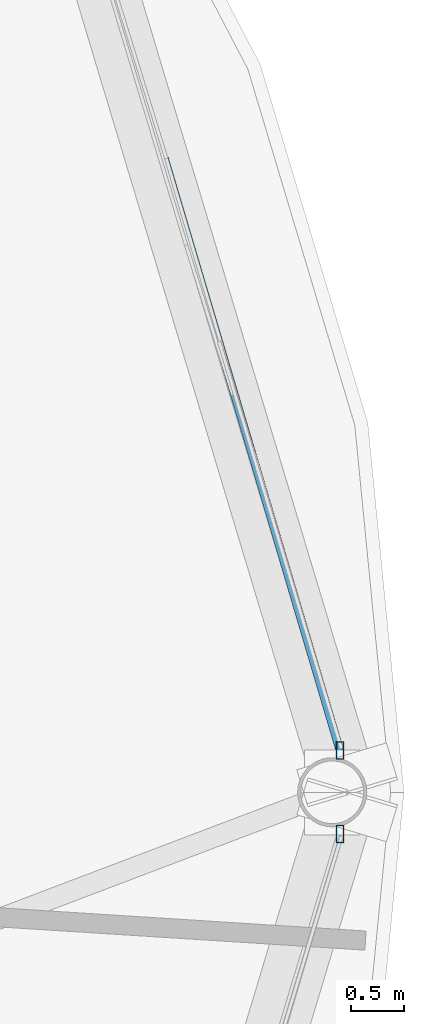
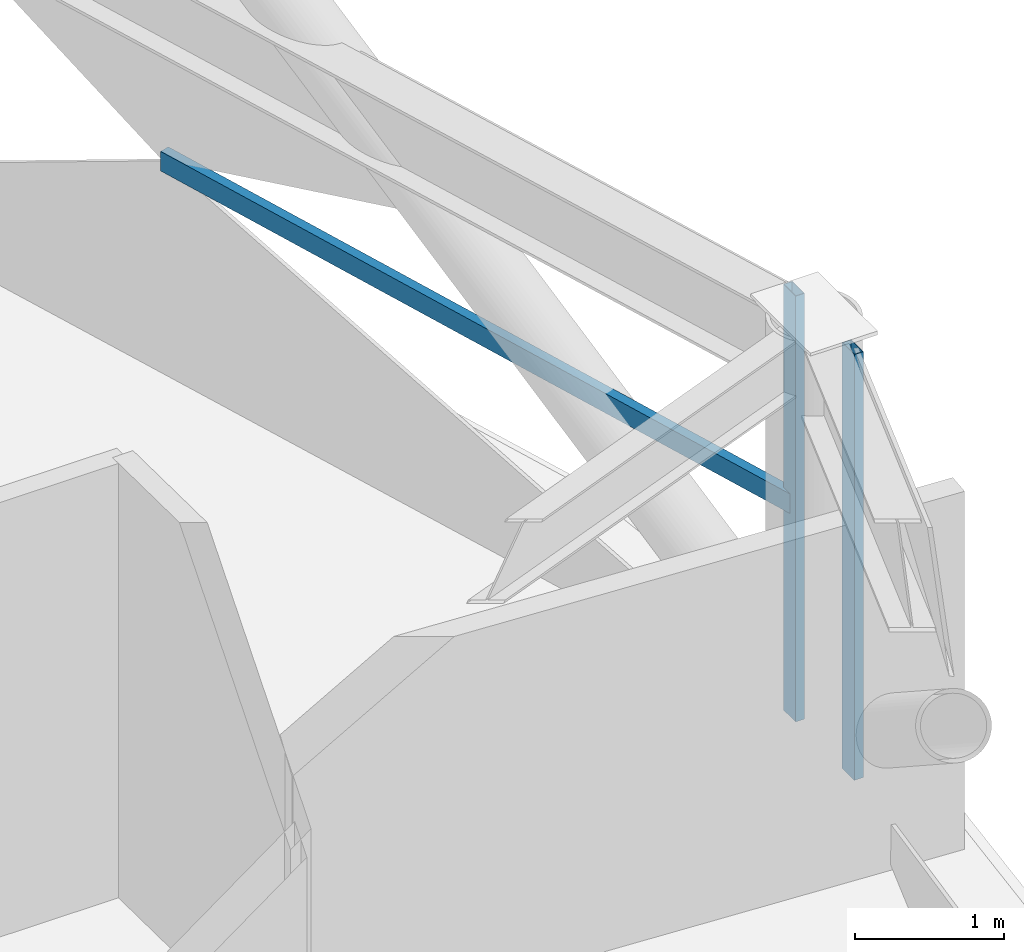
# One storey, part 13 of 28: 3 members, 2 elements without a shape of their own.
"""IFC4 building model written with IfcOpenShell, lengths in metres."""

from ifc_helpers import new_model, si_unit, direction, frame, origin, origin_2d, place, context, subcontext, project, spatial, hollow_rectangle, extrude, material, layer, layer_set, material_profile, profile_set, type_object, element, aggregate, save


model = new_model("IFC4")

# Units and contexts
model_context = context("Model", 3, precision=1e-05, world=origin(), true_north=direction((0.0, 1.0)))
body_context = subcontext(model_context, "Body", "Model", "MODEL_VIEW")
ifc_project = project(units=[si_unit("LENGTHUNIT", "METRE"), si_unit("AREAUNIT", "SQUARE_METRE"), si_unit("VOLUMEUNIT", "CUBIC_METRE"), si_unit("PLANEANGLEUNIT", "RADIAN"), si_unit("MASSUNIT", "GRAM", prefix="KILO")], contexts=[model_context])

# Site, building, storey
site_placement = place(None, origin())
site = spatial("IfcSite", under=ifc_project, at=site_placement, CompositionType="ELEMENT")
building_placement = place(site_placement, origin())
building = spatial("IfcBuilding", under=site, at=building_placement, Name="Vantalir Tower", CompositionType="ELEMENT")
storey_placement = place(building_placement, frame((0.0, 0.0, 242.39990234375)))
storey = spatial("IfcBuildingStorey", under=building, at=storey_placement, Name="L61", CompositionType="ELEMENT", Elevation=242.39990234375)

# Curtain wall, member
ifc_material_1 = material(Name="Champagne-silver PVDF aluminium and double-silver Low-E glass", Category="aluminium")
ifc_layer = layer(ifc_material_1, 0.2099609375)
ifc_layer_set = layer_set([ifc_layer], Name="Champagne-silver PVDF aluminium and double-silver Low-E glass")
curtain_wall_type = type_object("IfcCurtainWallType", Name="CW-DIAMOND-Z3", PredefinedType="USERDEFINED", material=ifc_layer_set)
curtain_wall_1_placement = place(storey_placement, origin())
curtain_wall_1 = element("IfcCurtainWall", 1, at=curtain_wall_1_placement, inside=storey, type_object=curtain_wall_type, Name="L61 Quilted Pyramid-Diamond Curtain Wall S01", ObjectType="UNITISED CURTAIN WALL", PredefinedType="USERDEFINED")
ifc_material_2 = material(Name="Champagne-silver PVDF aluminium 6063-T6", Category="aluminium")
ifc_material_profile_1 = material_profile(ifc_material_2, hollow_rectangle(XDim=0.070068359375, YDim=0.1650390625, WallThickness=0.00390625, at=origin_2d()), Name="Champagne-silver PVDF aluminium 6063-T6")
ifc_profile_set_1 = profile_set([ifc_material_profile_1], Name="Champagne-silver PVDF aluminium 6063-T6")
member_type_1 = type_object("IfcMemberType", Name="CWM-165x70", PredefinedType="MULLION", material=ifc_profile_set_1)
member_1_placement = place(storey_placement, frame((53.2900390625, 25.39306640625, 0.045166015625), z_axis=(0.0, 0.0, 1.0), x_axis=(1.0, 0.0, 0.0)))
member_1 = element("IfcMember", 2, at=member_1_placement, type_object=member_type_1, Name="CW-L61-S01 Mullion 1", PredefinedType="MULLION", context=body_context, shape_type="SweptSolid", body=[
    extrude(hollow_rectangle(XDim=0.070068359375, YDim=0.1650390625, WallThickness=0.00390625, at=origin_2d()), origin(), (0.0, 0.0, 1.0), 3.47998046875),
])

curtain_wall_2_placement = place(storey_placement, origin())
curtain_wall_2 = element("IfcCurtainWall", 3, at=curtain_wall_2_placement, inside=storey, type_object=curtain_wall_type, Name="L61 Quilted Pyramid-Diamond Curtain Wall S12", ObjectType="UNITISED CURTAIN WALL", PredefinedType="USERDEFINED")
member_2_placement = place(storey_placement, frame((53.2900390625, 24.60693359375, 0.045166015625), z_axis=(0.0, 0.0, 1.0), x_axis=(1.0, 0.0, 0.0)))
member_2 = element("IfcMember", 4, at=member_2_placement, type_object=member_type_1, Name="CW-L61-S12 Mullion 2", PredefinedType="MULLION", context=body_context, shape_type="SweptSolid", body=[
    extrude(hollow_rectangle(XDim=0.070068359375, YDim=0.1650390625, WallThickness=0.00390625, at=origin_2d()), origin(), (0.0, 0.0, 1.0), 3.47998046875),
])
aggregate(curtain_wall_2, [member_2])

# Member
ifc_material_profile_2 = material_profile(ifc_material_2, hollow_rectangle(XDim=0.074951171875, YDim=0.159912109375, WallThickness=0.00390625, at=origin_2d()), Name="Champagne-silver PVDF aluminium 6063-T6")
ifc_profile_set_2 = profile_set([ifc_material_profile_2], Name="Champagne-silver PVDF aluminium 6063-T6")
member_type_2 = type_object("IfcMemberType", Name="CWT-160x75", PredefinedType="USERDEFINED", material=ifc_profile_set_2)
member_3_placement = place(storey_placement, frame((53.2900390625, 25.39306640625, 1.78515625), z_axis=(-0.284003920422, 0.958823118821, 0.0), x_axis=(-0.958823118821, -0.284003920422, 0.0)))
member_3 = element("IfcMember", 5, at=member_3_placement, type_object=member_type_2, Name="CW-L61-S01 Pyramid Fold Ridge Transom", ObjectType="TRANSOM", PredefinedType="USERDEFINED", context=body_context, shape_type="SweptSolid", body=[
    extrude(hollow_rectangle(XDim=0.074951171875, YDim=0.159912109375, WallThickness=0.00390625, at=origin_2d()), origin(), (0.0, 0.0, 1.0), 5.810302734375),
])

aggregate(curtain_wall_1, [member_1, member_3])

save(model, "model.ifc")
